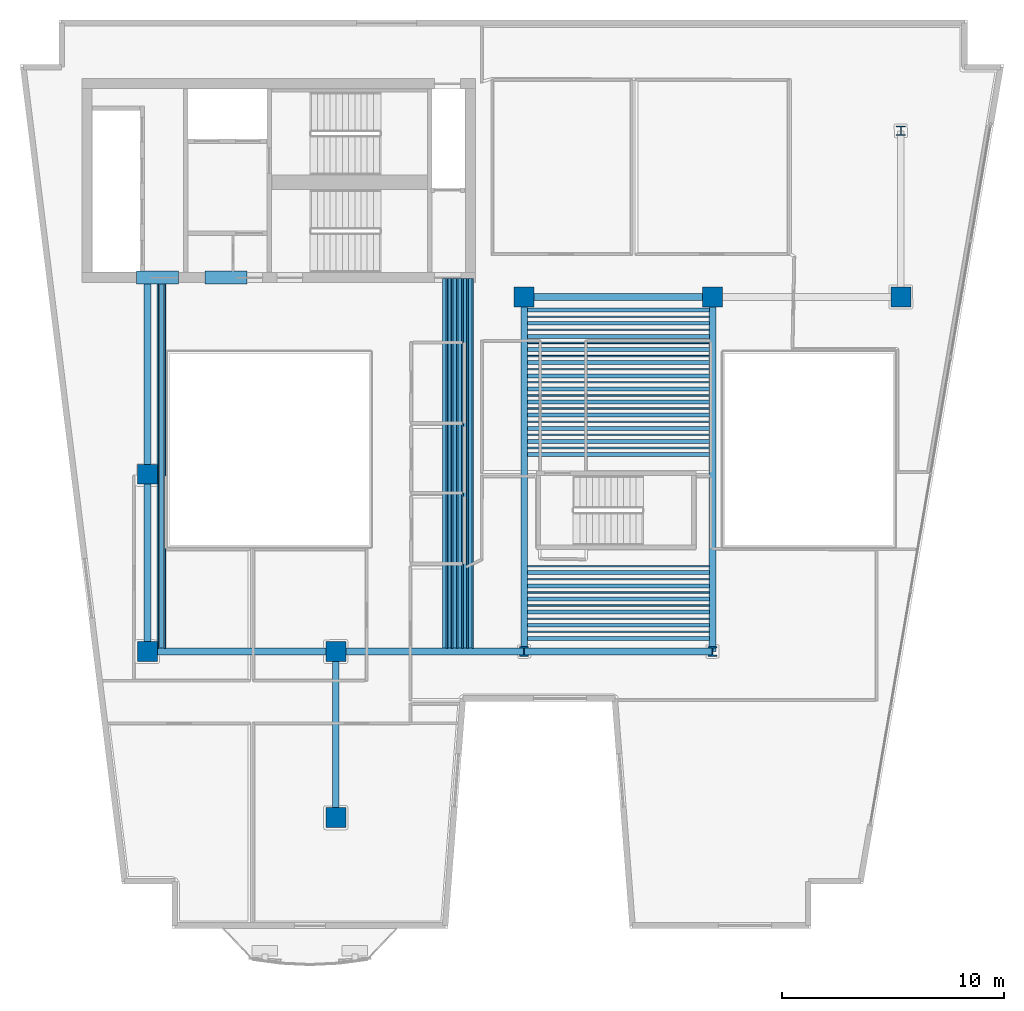
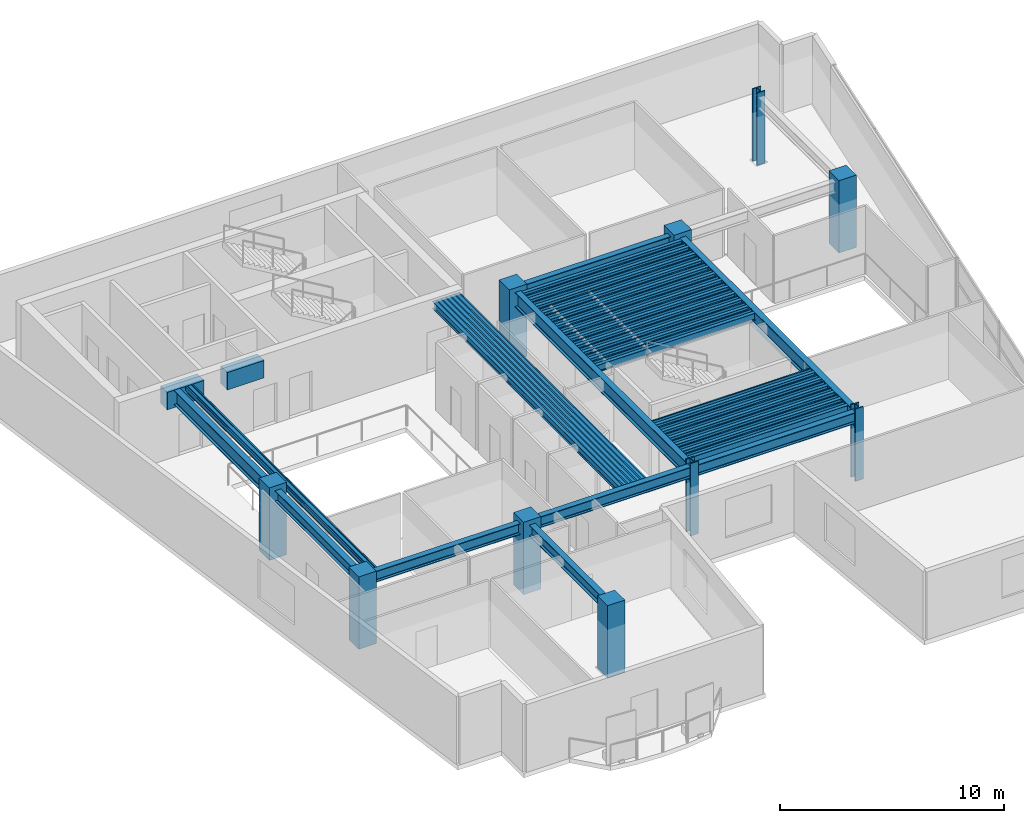
# One storey, part 1 of 9: 61 beams, 10 columns.
"""IFC4 building model written with IfcOpenShell, lengths in metres."""

from ifc_helpers import new_model, si_unit, direction, frame, origin, origin_2d, place, context, subcontext, project, spatial, rectangle, hollow_rectangle, i_section, extrude, material, material_profile, profile_set, type_object, element, save


model = new_model("IFC4")

# Units and contexts
model_context = context("Model", 3, precision=1e-05, world=origin(), true_north=direction((0.0, 1.0)))
body_context = subcontext(model_context, "Body", "Model", "MODEL_VIEW")
ifc_project = project(units=[si_unit("LENGTHUNIT", "METRE"), si_unit("AREAUNIT", "SQUARE_METRE"), si_unit("VOLUMEUNIT", "CUBIC_METRE"), si_unit("PLANEANGLEUNIT", "RADIAN"), si_unit("MASSUNIT", "GRAM", prefix="KILO")], contexts=[model_context])

# Site, building, storey
site_placement = place(None, origin())
site = spatial("IfcSite", under=ifc_project, at=site_placement, CompositionType="ELEMENT")
building_placement = place(site_placement, origin())
building = spatial("IfcBuilding", under=site, at=building_placement, Name="Caeloran Harvest Quay", CompositionType="ELEMENT")
storey_placement = place(building_placement, frame((0.0, 0.0, 203.5)))
storey = spatial("IfcBuildingStorey", under=building, at=storey_placement, Name="L48", CompositionType="ELEMENT", Elevation=203.5)

# Columns
ifc_material_1 = material(Name="Concrete C60/75", Category="concrete")
ifc_material_profile_1 = material_profile(ifc_material_1, rectangle(XDim=0.89990234375, YDim=0.89990234375, at=origin_2d()), Name="RC 900x900")
ifc_profile_set_1 = profile_set([ifc_material_profile_1], Name="Concrete C60/75")
column_type_1 = type_object("IfcColumnType", Name="COL-MC-4-RC_900x900", PredefinedType="COLUMN", material=ifc_profile_set_1)
for number, where, z_axis, x_axis, name in (
    (1, (8.5, 15.0, 0.0), (0.0, 0.0, 1.0), (1.0, 0.0, 0.0), "L48 Structural Column (8.5, 15.0)"),
    (2, (8.5, 23.0, 0.0), (0.0, 0.0, 1.0), (1.0, 0.0, 0.0), "L48 Structural Column (8.5, 23.0)"),
    (3, (17.0, 7.5, 0.0), (0.0, 0.0, 1.0), (1.0, 0.0, 0.0), "L48 Structural Column (17.0, 7.5)"),
    (4, (17.0, 15.0, 0.0), (0.0, 0.0, 1.0), (1.0, 0.0, 0.0), "L48 Structural Column (17.0, 15.0)"),
    (5, (25.5, 31.0, 0.0), (0.0, 0.0, 1.0), (1.0, 0.0, 0.0), "L48 Structural Column (25.5, 31.0)"),
    (6, (34.0, 31.0, 0.0), (0.0, 0.0, 1.0), (1.0, 0.0, 0.0), "L48 Structural Column (34.0, 31.0)"),
    (7, (42.5, 31.0, 0.0), (0.0, 0.0, 1.0), (1.0, 0.0, 0.0), "L48 Structural Column (42.5, 31.0)"),
):
    element("IfcColumn", number, at=place(storey_placement, frame(where, z_axis=z_axis, x_axis=x_axis)), inside=storey, type_object=column_type_1, Name=name, PredefinedType="COLUMN", context=body_context, shape_type="SweptSolid", body=[
        extrude(rectangle(XDim=0.89990234375, YDim=0.89990234375, at=origin_2d()), origin(), (0.0, 0.0, 1.0), 3.949951171875),
    ])
ifc_material_2 = material(Name="Steel HISTAR 460", Category="steel")
ifc_material_profile_2 = material_profile(ifc_material_2, i_section(OverallWidth=0.416015625, OverallDepth=0.446044921875, WebThickness=0.0390625, FlangeThickness=0.062744140625, FilletRadius=0.014892578125, at=origin_2d()), Name="HD 400x509")
ifc_profile_set_2 = profile_set([ifc_material_profile_2], Name="Steel HISTAR 460")
column_type_2 = type_object("IfcColumnType", Name="COL-SC-4-HD_400x509", PredefinedType="COLUMN", material=ifc_profile_set_2)
for number, where, z_axis, x_axis, name in (
    (8, (25.5, 15.0, 0.0), (0.0, 0.0, 1.0), (1.0, 0.0, 0.0), "L48 Structural Column (25.5, 15.0)"),
    (9, (34.0, 15.0, 0.0), (0.0, 0.0, 1.0), (1.0, 0.0, 0.0), "L48 Structural Column (34.0, 15.0)"),
    (10, (42.5, 38.5, 0.0), (0.0, 0.0, 1.0), (1.0, 0.0, 0.0), "L48 Structural Column (42.5, 38.5)"),
):
    element("IfcColumn", number, at=place(storey_placement, frame(where, z_axis=z_axis, x_axis=x_axis)), inside=storey, type_object=column_type_2, Name=name, PredefinedType="COLUMN", context=body_context, shape_type="SweptSolid", body=[
        extrude(i_section(OverallWidth=0.416015625, OverallDepth=0.446044921875, WebThickness=0.0390625, FlangeThickness=0.062744140625, FilletRadius=0.014892578125, at=origin_2d()), origin(), (0.0, 0.0, 1.0), 3.949951171875),
    ])

# Beams
ifc_material_profile_3 = material_profile(ifc_material_1, rectangle(XDim=0.60009765625, YDim=0.949951171875, at=origin_2d()), Name="RC 600x950")
ifc_profile_set_3 = profile_set([ifc_material_profile_3], Name="Concrete C60/75")
beam_type_1 = type_object("IfcBeamType", Name="BM-CB-2-RC_600x950", PredefinedType="LINTEL", material=ifc_profile_set_3)
for number, where, z_axis, x_axis, name in (
    (11, (8.0, 31.875, 3.22509765625), (1.0, 0.0, 0.0), (0.0, 1.0, 0.0), "L48 Core Coupling Beam 1"),
    (12, (11.10009765625, 31.875, 3.22509765625), (1.0, 0.0, 0.0), (0.0, 1.0, 0.0), "L48 Core Coupling Beam 2"),
):
    element("IfcBeam", number, at=place(storey_placement, frame(where, z_axis=z_axis, x_axis=x_axis)), inside=storey, type_object=beam_type_1, Name=name, PredefinedType="LINTEL", context=body_context, shape_type="SweptSolid", body=[
        extrude(rectangle(XDim=0.60009765625, YDim=0.949951171875, at=origin_2d()), origin(), (0.0, 0.0, 1.0), 1.89990234375),
    ])
ifc_material_3 = material(Name="Steel S355J2", Category="steel")
ifc_material_profile_4 = material_profile(ifc_material_3, i_section(OverallWidth=0.300048828125, OverallDepth=0.800048828125, WebThickness=0.017578125, FlangeThickness=0.032958984375, FilletRadius=0.030029296875, at=origin_2d()), Name="HE 800 B")
ifc_profile_set_4 = profile_set([ifc_material_profile_4], Name="Steel S355J2")
beam_type_2 = type_object("IfcBeamType", Name="BM-PG-1-HE_800_B", PredefinedType="BEAM", material=ifc_profile_set_4)
beam_1_placement = place(storey_placement, frame((8.5, 23.0, 3.300048828125), z_axis=(0.0, 1.0, 0.0), x_axis=(-1.0, 0.0, 0.0)))
element("IfcBeam", 13, at=beam_1_placement, inside=storey, type_object=beam_type_2, Name="L48 Core South Tie Girder X=8.5", PredefinedType="BEAM", context=body_context, shape_type="SweptSolid", body=[
    extrude(i_section(OverallWidth=0.300048828125, OverallDepth=0.800048828125, WebThickness=0.017578125, FlangeThickness=0.032958984375, FilletRadius=0.030029296875, at=origin_2d()), origin(), (0.0, 0.0, 1.0), 8.824951171875),
])
for number, where, z_axis, x_axis, name in (
    (14, (25.5, 15.0, 3.300048828125), (0.0, 1.0, 0.0), (-1.0, 0.0, 0.0), "L48 Primary North-South Girder X=25.5"),
    (15, (34.0, 15.0, 3.300048828125), (0.0, 1.0, 0.0), (-1.0, 0.0, 0.0), "L48 Primary North-South Girder X=34.0"),
):
    element("IfcBeam", number, at=place(storey_placement, frame(where, z_axis=z_axis, x_axis=x_axis)), inside=storey, type_object=beam_type_2, Name=name, PredefinedType="BEAM", context=body_context, shape_type="SweptSolid", body=[
        extrude(i_section(OverallWidth=0.300048828125, OverallDepth=0.800048828125, WebThickness=0.017578125, FlangeThickness=0.032958984375, FilletRadius=0.030029296875, at=origin_2d()), origin(), (0.0, 0.0, 1.0), 16.0),
    ])
ifc_material_profile_5 = material_profile(ifc_material_3, i_section(OverallWidth=0.300048828125, OverallDepth=0.60009765625, WebThickness=0.015380859375, FlangeThickness=0.030029296875, FilletRadius=0.027099609375, at=origin_2d()), Name="HE 600 B")
ifc_profile_set_5 = profile_set([ifc_material_profile_5], Name="Steel S355J2")
beam_type_3 = type_object("IfcBeamType", Name="BM-PG-3-HE_600_B", PredefinedType="BEAM", material=ifc_profile_set_5)
for number, where, z_axis, x_axis, name in (
    (16, (8.5, 15.0, 3.39990234375), (1.0, 0.0, 0.0), (0.0, 1.0, 0.0), "L48 Primary East-West Girder Y=15.0"),
    (17, (17.0, 15.0, 3.39990234375), (1.0, 0.0, 0.0), (0.0, 1.0, 0.0), "L48 Primary East-West Girder Y=15.0"),
    (18, (25.5, 15.0, 3.39990234375), (1.0, 0.0, 0.0), (0.0, 1.0, 0.0), "L48 Primary East-West Girder Y=15.0"),
    (19, (25.5, 31.0, 3.39990234375), (1.0, 0.0, 0.0), (0.0, 1.0, 0.0), "L48 Primary East-West Girder Y=31.0"),
):
    element("IfcBeam", number, at=place(storey_placement, frame(where, z_axis=z_axis, x_axis=x_axis)), inside=storey, type_object=beam_type_3, Name=name, PredefinedType="BEAM", context=body_context, shape_type="SweptSolid", body=[
        extrude(i_section(OverallWidth=0.300048828125, OverallDepth=0.60009765625, WebThickness=0.015380859375, FlangeThickness=0.030029296875, FilletRadius=0.027099609375, at=origin_2d()), origin(), (0.0, 0.0, 1.0), 8.5),
    ])
beam_2_placement = place(storey_placement, frame((8.5, 15.0, 3.39990234375), z_axis=(0.0, 1.0, 0.0), x_axis=(-1.0, 0.0, 0.0)))
element("IfcBeam", 20, at=beam_2_placement, inside=storey, type_object=beam_type_3, Name="L48 Primary North-South Girder X=8.5", PredefinedType="BEAM", context=body_context, shape_type="SweptSolid", body=[
    extrude(i_section(OverallWidth=0.300048828125, OverallDepth=0.60009765625, WebThickness=0.015380859375, FlangeThickness=0.030029296875, FilletRadius=0.027099609375, at=origin_2d()), origin(), (0.0, 0.0, 1.0), 8.0),
])
beam_3_placement = place(storey_placement, frame((17.0, 7.5, 3.39990234375), z_axis=(0.0, 1.0, 0.0), x_axis=(-1.0, 0.0, 0.0)))
element("IfcBeam", 21, at=beam_3_placement, inside=storey, type_object=beam_type_3, Name="L48 Primary North-South Girder X=17.0", PredefinedType="BEAM", context=body_context, shape_type="SweptSolid", body=[
    extrude(i_section(OverallWidth=0.300048828125, OverallDepth=0.60009765625, WebThickness=0.015380859375, FlangeThickness=0.030029296875, FilletRadius=0.027099609375, at=origin_2d()), origin(), (0.0, 0.0, 1.0), 7.5),
])
ifc_material_profile_6 = material_profile(ifc_material_3, i_section(OverallWidth=0.179931640625, OverallDepth=0.39990234375, WebThickness=0.008544921875, FlangeThickness=0.013427734375, FilletRadius=0.02099609375, at=origin_2d()), Name="IPE 400")
ifc_profile_set_6 = profile_set([ifc_material_profile_6], Name="Steel S355J2")
beam_type_4 = type_object("IfcBeamType", Name="BM-SB-4-IPE_400", PredefinedType="JOIST", material=ifc_profile_set_6)
for number, where, z_axis, x_axis, name in (
    (22, (9.129638671875, 15.14501953125, 3.5), (0.0, 1.0, 0.0), (-1.0, 0.0, 0.0), "L48 Secondary Composite Joist"),
    (23, (21.89990234375, 15.14501953125, 3.5), (0.0, 1.0, 0.0), (-1.0, 0.0, 0.0), "L48 Secondary Composite Joist"),
    (24, (22.13330078125, 15.14501953125, 3.5), (0.0, 1.0, 0.0), (-1.0, 0.0, 0.0), "L48 Secondary Composite Joist"),
    (25, (22.36669921875, 15.14501953125, 3.5), (0.0, 1.0, 0.0), (-1.0, 0.0, 0.0), "L48 Secondary Composite Joist"),
    (26, (22.60009765625, 15.14501953125, 3.5), (0.0, 1.0, 0.0), (-1.0, 0.0, 0.0), "L48 Secondary Composite Joist"),
    (27, (22.833251953125, 15.14501953125, 3.5), (0.0, 1.0, 0.0), (-1.0, 0.0, 0.0), "L48 Secondary Composite Joist"),
    (28, (23.066650390625, 15.14501953125, 3.5), (0.0, 1.0, 0.0), (-1.0, 0.0, 0.0), "L48 Secondary Composite Joist"),
):
    element("IfcBeam", number, at=place(storey_placement, frame(where, z_axis=z_axis, x_axis=x_axis)), inside=storey, type_object=beam_type_4, Name=name, PredefinedType="JOIST", context=body_context, shape_type="SweptSolid", body=[
        extrude(i_section(OverallWidth=0.179931640625, OverallDepth=0.39990234375, WebThickness=0.008544921875, FlangeThickness=0.013427734375, FilletRadius=0.02099609375, at=origin_2d()), origin(), (0.0, 0.0, 1.0), 16.679931640625),
    ])
for number, where, z_axis, x_axis, name in (
    (29, (25.64501953125, 15.592529296875, 3.5), (1.0, 0.0, 0.0), (0.0, 1.0, 0.0), "L48 Secondary East-West Composite Joist"),
    (30, (25.64501953125, 16.185302734375, 3.5), (1.0, 0.0, 0.0), (0.0, 1.0, 0.0), "L48 Secondary East-West Composite Joist"),
    (31, (25.64501953125, 16.77783203125, 3.5), (1.0, 0.0, 0.0), (0.0, 1.0, 0.0), "L48 Secondary East-West Composite Joist"),
    (32, (25.64501953125, 17.370361328125, 3.5), (1.0, 0.0, 0.0), (0.0, 1.0, 0.0), "L48 Secondary East-West Composite Joist"),
    (33, (25.64501953125, 17.962890625, 3.5), (1.0, 0.0, 0.0), (0.0, 1.0, 0.0), "L48 Secondary East-West Composite Joist"),
    (34, (25.64501953125, 18.5556640625, 3.5), (1.0, 0.0, 0.0), (0.0, 1.0, 0.0), "L48 Secondary East-West Composite Joist"),
    (35, (25.64501953125, 23.888916015625, 3.5), (1.0, 0.0, 0.0), (0.0, 1.0, 0.0), "L48 Secondary East-West Composite Joist"),
    (36, (25.64501953125, 24.4814453125, 3.5), (1.0, 0.0, 0.0), (0.0, 1.0, 0.0), "L48 Secondary East-West Composite Joist"),
    (37, (25.64501953125, 25.07421875, 3.5), (1.0, 0.0, 0.0), (0.0, 1.0, 0.0), "L48 Secondary East-West Composite Joist"),
    (38, (25.64501953125, 25.666748046875, 3.5), (1.0, 0.0, 0.0), (0.0, 1.0, 0.0), "L48 Secondary East-West Composite Joist"),
    (39, (25.64501953125, 26.25927734375, 3.5), (1.0, 0.0, 0.0), (0.0, 1.0, 0.0), "L48 Secondary East-West Composite Joist"),
    (40, (25.64501953125, 26.851806640625, 3.5), (1.0, 0.0, 0.0), (0.0, 1.0, 0.0), "L48 Secondary East-West Composite Joist"),
    (41, (25.64501953125, 27.4443359375, 3.5), (1.0, 0.0, 0.0), (0.0, 1.0, 0.0), "L48 Secondary East-West Composite Joist"),
    (42, (25.64501953125, 28.037109375, 3.5), (1.0, 0.0, 0.0), (0.0, 1.0, 0.0), "L48 Secondary East-West Composite Joist"),
    (43, (25.64501953125, 28.629638671875, 3.5), (1.0, 0.0, 0.0), (0.0, 1.0, 0.0), "L48 Secondary East-West Composite Joist"),
    (44, (25.64501953125, 29.22216796875, 3.5), (1.0, 0.0, 0.0), (0.0, 1.0, 0.0), "L48 Secondary East-West Composite Joist"),
    (45, (25.64501953125, 29.814697265625, 3.5), (1.0, 0.0, 0.0), (0.0, 1.0, 0.0), "L48 Secondary East-West Composite Joist"),
    (46, (25.64501953125, 30.407470703125, 3.5), (1.0, 0.0, 0.0), (0.0, 1.0, 0.0), "L48 Secondary East-West Composite Joist"),
):
    element("IfcBeam", number, at=place(storey_placement, frame(where, z_axis=z_axis, x_axis=x_axis)), inside=storey, type_object=beam_type_4, Name=name, PredefinedType="JOIST", context=body_context, shape_type="SweptSolid", body=[
        extrude(i_section(OverallWidth=0.179931640625, OverallDepth=0.39990234375, WebThickness=0.008544921875, FlangeThickness=0.013427734375, FilletRadius=0.02099609375, at=origin_2d()), origin(), (0.0, 0.0, 1.0), 8.2099609375),
    ])
ifc_material_profile_7 = material_profile(ifc_material_3, hollow_rectangle(XDim=0.080078125, YDim=0.199951171875, WallThickness=0.006103515625, InnerFilletRadius=0.006103515625, OuterFilletRadius=0.009033203125, at=origin_2d()), Name="RHS 200x80x6")
ifc_profile_set_7 = profile_set([ifc_material_profile_7], Name="Steel S355J2")
beam_type_5 = type_object("IfcBeamType", Name="BM-SB-7-RHS_200x80x6", PredefinedType="JOIST", material=ifc_profile_set_7)
for number, where, z_axis, x_axis, name in (
    (47, (8.97216796875, 15.14501953125, 3.60009765625), (0.0, 1.0, 0.0), (-1.0, 0.0, 0.0), "L48 Secondary Composite Joist"),
    (48, (9.287109375, 15.14501953125, 3.60009765625), (0.0, 1.0, 0.0), (-1.0, 0.0, 0.0), "L48 Secondary Composite Joist"),
    (49, (22.0166015625, 15.14501953125, 3.60009765625), (0.0, 1.0, 0.0), (-1.0, 0.0, 0.0), "L48 Secondary Composite Joist"),
    (50, (22.25, 15.14501953125, 3.60009765625), (0.0, 1.0, 0.0), (-1.0, 0.0, 0.0), "L48 Secondary Composite Joist"),
    (51, (22.4833984375, 15.14501953125, 3.60009765625), (0.0, 1.0, 0.0), (-1.0, 0.0, 0.0), "L48 Secondary Composite Joist"),
    (52, (22.716796875, 15.14501953125, 3.60009765625), (0.0, 1.0, 0.0), (-1.0, 0.0, 0.0), "L48 Secondary Composite Joist"),
    (53, (22.949951171875, 15.14501953125, 3.60009765625), (0.0, 1.0, 0.0), (-1.0, 0.0, 0.0), "L48 Secondary Composite Joist"),
    (54, (23.183349609375, 15.14501953125, 3.60009765625), (0.0, 1.0, 0.0), (-1.0, 0.0, 0.0), "L48 Secondary Composite Joist"),
):
    element("IfcBeam", number, at=place(storey_placement, frame(where, z_axis=z_axis, x_axis=x_axis)), inside=storey, type_object=beam_type_5, Name=name, PredefinedType="JOIST", context=body_context, shape_type="SweptSolid", body=[
        extrude(hollow_rectangle(XDim=0.080078125, YDim=0.199951171875, WallThickness=0.006103515625, InnerFilletRadius=0.006103515625, OuterFilletRadius=0.009033203125, at=origin_2d()), origin(), (0.0, 0.0, 1.0), 16.679931640625),
    ])
for number, where, z_axis, x_axis, name in (
    (55, (25.64501953125, 15.888916015625, 3.60009765625), (1.0, 0.0, 0.0), (0.0, 1.0, 0.0), "L48 Secondary East-West Composite Joist"),
    (56, (25.64501953125, 16.4814453125, 3.60009765625), (1.0, 0.0, 0.0), (0.0, 1.0, 0.0), "L48 Secondary East-West Composite Joist"),
    (57, (25.64501953125, 17.07421875, 3.60009765625), (1.0, 0.0, 0.0), (0.0, 1.0, 0.0), "L48 Secondary East-West Composite Joist"),
    (58, (25.64501953125, 17.666748046875, 3.60009765625), (1.0, 0.0, 0.0), (0.0, 1.0, 0.0), "L48 Secondary East-West Composite Joist"),
    (59, (25.64501953125, 18.25927734375, 3.60009765625), (1.0, 0.0, 0.0), (0.0, 1.0, 0.0), "L48 Secondary East-West Composite Joist"),
    (60, (25.64501953125, 18.851806640625, 3.60009765625), (1.0, 0.0, 0.0), (0.0, 1.0, 0.0), "L48 Secondary East-West Composite Joist"),
    (61, (25.64501953125, 24.185302734375, 3.60009765625), (1.0, 0.0, 0.0), (0.0, 1.0, 0.0), "L48 Secondary East-West Composite Joist"),
    (62, (25.64501953125, 24.77783203125, 3.60009765625), (1.0, 0.0, 0.0), (0.0, 1.0, 0.0), "L48 Secondary East-West Composite Joist"),
    (63, (25.64501953125, 25.370361328125, 3.60009765625), (1.0, 0.0, 0.0), (0.0, 1.0, 0.0), "L48 Secondary East-West Composite Joist"),
    (64, (25.64501953125, 25.962890625, 3.60009765625), (1.0, 0.0, 0.0), (0.0, 1.0, 0.0), "L48 Secondary East-West Composite Joist"),
    (65, (25.64501953125, 26.5556640625, 3.60009765625), (1.0, 0.0, 0.0), (0.0, 1.0, 0.0), "L48 Secondary East-West Composite Joist"),
    (66, (25.64501953125, 27.148193359375, 3.60009765625), (1.0, 0.0, 0.0), (0.0, 1.0, 0.0), "L48 Secondary East-West Composite Joist"),
    (67, (25.64501953125, 27.74072265625, 3.60009765625), (1.0, 0.0, 0.0), (0.0, 1.0, 0.0), "L48 Secondary East-West Composite Joist"),
    (68, (25.64501953125, 28.333251953125, 3.60009765625), (1.0, 0.0, 0.0), (0.0, 1.0, 0.0), "L48 Secondary East-West Composite Joist"),
    (69, (25.64501953125, 28.92578125, 3.60009765625), (1.0, 0.0, 0.0), (0.0, 1.0, 0.0), "L48 Secondary East-West Composite Joist"),
    (70, (25.64501953125, 29.5185546875, 3.60009765625), (1.0, 0.0, 0.0), (0.0, 1.0, 0.0), "L48 Secondary East-West Composite Joist"),
    (71, (25.64501953125, 30.111083984375, 3.60009765625), (1.0, 0.0, 0.0), (0.0, 1.0, 0.0), "L48 Secondary East-West Composite Joist"),
):
    element("IfcBeam", number, at=place(storey_placement, frame(where, z_axis=z_axis, x_axis=x_axis)), inside=storey, type_object=beam_type_5, Name=name, PredefinedType="JOIST", context=body_context, shape_type="SweptSolid", body=[
        extrude(hollow_rectangle(XDim=0.080078125, YDim=0.199951171875, WallThickness=0.006103515625, InnerFilletRadius=0.006103515625, OuterFilletRadius=0.009033203125, at=origin_2d()), origin(), (0.0, 0.0, 1.0), 8.2099609375),
    ])

save(model, "model.ifc")
